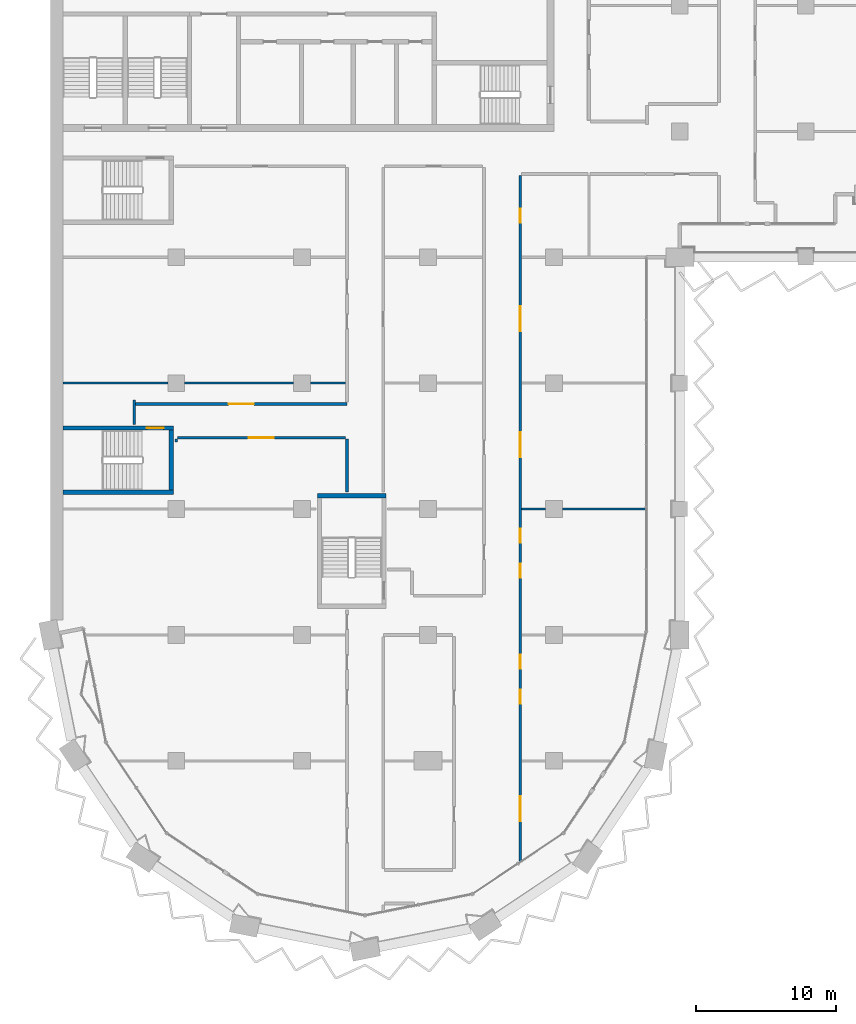
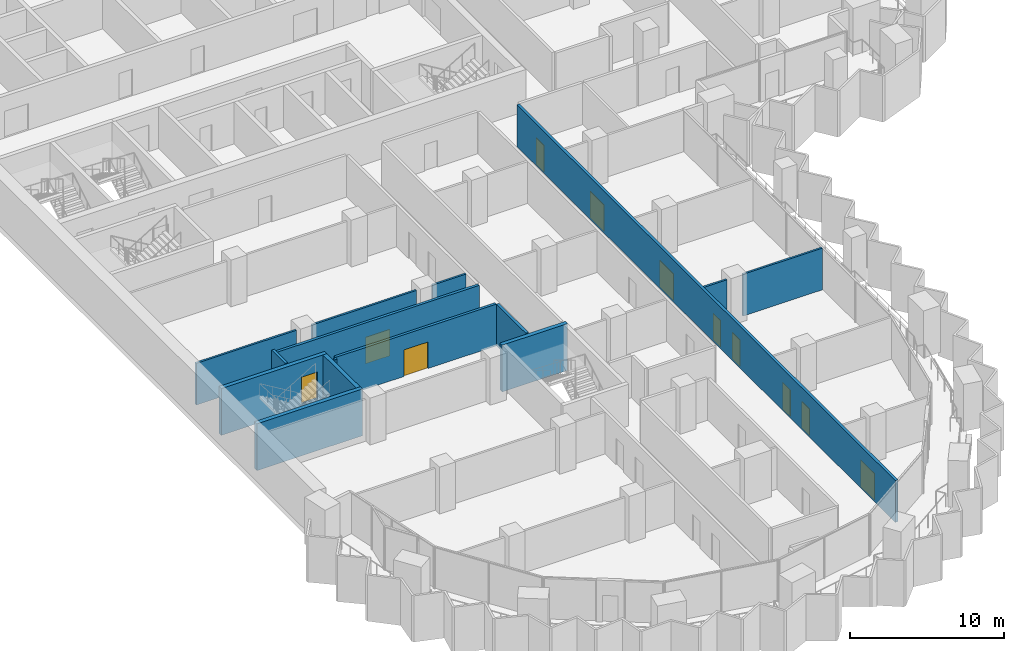
# One storey, part 11 of 23: 15 walls, 11 doors, 11 openings.
"""IFC4 building model written with IfcOpenShell, lengths in metres."""

from ifc_helpers import new_model, si_unit, direction, frame, frame_2d, origin, place, context, subcontext, project, spatial, rectangle, extrude, material, layer, layer_set, type_object, element, fill, save


model = new_model("IFC4")

# Units and contexts
model_context = context("Model", 3, precision=1e-05, world=origin(), true_north=direction((0.0, 1.0)))
body_context = subcontext(model_context, "Body", "Model", "MODEL_VIEW")
ifc_project = project(units=[si_unit("LENGTHUNIT", "METRE"), si_unit("AREAUNIT", "SQUARE_METRE"), si_unit("VOLUMEUNIT", "CUBIC_METRE"), si_unit("PLANEANGLEUNIT", "RADIAN"), si_unit("MASSUNIT", "GRAM", prefix="KILO")], contexts=[model_context])

# Site, building, storey
site_placement = place(None, origin())
site = spatial("IfcSite", under=ifc_project, at=site_placement, CompositionType="ELEMENT")
building_placement = place(site_placement, origin())
building = spatial("IfcBuilding", under=site, at=building_placement, Name="Hunhe Ridgeline Campus", CompositionType="ELEMENT")
storey_placement = place(building_placement, frame((0.0, 0.0, 167.10009765625)))
storey = spatial("IfcBuildingStorey", under=building, at=storey_placement, Name="L42", CompositionType="ELEMENT", Elevation=167.10009765625)

# Wall, opening, door
ifc_material_1 = material(Name="Gypsum board partition")
ifc_layer_1 = layer(ifc_material_1, 0.199951171875)
ifc_layer_set_1 = layer_set([ifc_layer_1], Name="Corridor partition 200 gypsum board on steel studs")
wall_type_1 = type_object("IfcWallType", Name="Corridor partition 200 gypsum board on steel studs", PredefinedType="PARTITIONING", material=ifc_layer_set_1)
wall_1_placement = place(storey_placement, frame((21.10009765625, 41.10009765625, 0.0), z_axis=(0.0, 0.0, 1.0), x_axis=(-1.0, 0.0, 0.0)))
wall_1 = element("IfcWall", 1, at=wall_1_placement, inside=storey, type_object=wall_type_1, Name="F-L42-wall-026", PredefinedType="PARTITIONING", context=body_context, shape_type="SweptSolid", body=[
    extrude(rectangle(XDim=12.025146484375, YDim=0.199951171875, at=frame_2d((6.0126953125, 0.0))), origin(), (0.0, 0.0, 1.0), 3.2998046875),
])
opening_1_placement = place(wall_1_placement, frame((5.112548828125, 0.0, 0.0)))
opening_1 = element("IfcOpeningElement", 2, at=opening_1_placement, cuts=wall_1, Name="Opening RD2-016", PredefinedType="OPENING", context=body_context, shape_type="SweptSolid", body=[
    extrude(rectangle(XDim=1.800048828125, YDim=2.10009765625, at=frame_2d((0.89990234375, 1.050048828125))), frame((0.0, 0.10009765625, 0.0), z_axis=(0.0, -1.0, 0.0), x_axis=(1.0, 0.0, 0.0)), (0.0, 0.0, 1.0), 0.199951171875),
])
ifc_material_2 = material(Name="Timber door leaf", Category="wood")
door_type_1 = type_object("IfcDoorType", Name="Double fire door 1800x2100 timber FD60", OperationType="DOUBLE_DOOR_SINGLE_SWING", PredefinedType="DOOR", material=ifc_material_2)
door_1_placement = place(opening_1_placement, origin())
door_1 = element("IfcDoor", 3, at=door_1_placement, inside=storey, type_object=door_type_1, Name="F-L42-door-016", OperationType="DOUBLE_DOOR_SINGLE_SWING", OverallHeight=2.10009765625, OverallWidth=1.800048828125, PredefinedType="DOOR", context=body_context, shape_type="SweptSolid", body=[
    extrude(rectangle(XDim=1.800048828125, YDim=2.10009765625, at=frame_2d((0.89990234375, 1.050048828125))), frame((0.0, 0.02490234375, 0.0), z_axis=(0.0, -1.0, 0.0), x_axis=(1.0, 0.0, 0.0)), (0.0, 0.0, 1.0), 0.050048828125),
])
fill(opening_1, door_1)

wall_2_placement = place(storey_placement, frame((6.10009765625, 43.5, 0.0), z_axis=(0.0, 0.0, 1.0), x_axis=(1.0, 0.0, 0.0)))
wall_2 = element("IfcWall", 4, at=wall_2_placement, inside=storey, type_object=wall_type_1, Name="F-L42-wall-027", PredefinedType="PARTITIONING", context=body_context, shape_type="SweptSolid", body=[
    extrude(rectangle(XDim=15.099853515625, YDim=0.199951171875, at=frame_2d((7.5498046875, 0.0))), origin(), (0.0, 0.0, 1.0), 3.2998046875),
])
opening_2_placement = place(wall_2_placement, frame((6.64990234375, 0.0, 0.0)))
opening_2 = element("IfcOpeningElement", 5, at=opening_2_placement, cuts=wall_2, Name="Opening RD2-017", PredefinedType="OPENING", context=body_context, shape_type="SweptSolid", body=[
    extrude(rectangle(XDim=1.800048828125, YDim=2.10009765625, at=frame_2d((0.89990234375, 1.050048828125))), frame((0.0, 0.10009765625, 0.0), z_axis=(0.0, -1.0, 0.0), x_axis=(1.0, 0.0, 0.0)), (0.0, 0.0, 1.0), 0.199951171875),
])
door_2_placement = place(opening_2_placement, origin())
door_2 = element("IfcDoor", 6, at=door_2_placement, inside=storey, type_object=door_type_1, Name="F-L42-door-017", OperationType="DOUBLE_DOOR_SINGLE_SWING", OverallHeight=2.10009765625, OverallWidth=1.800048828125, PredefinedType="DOOR", context=body_context, shape_type="SweptSolid", body=[
    extrude(rectangle(XDim=1.800048828125, YDim=2.10009765625, at=frame_2d((0.89990234375, 1.050048828125))), frame((0.0, 0.02490234375, 0.0), z_axis=(0.0, -1.0, 0.0), x_axis=(1.0, 0.0, 0.0)), (0.0, 0.0, 1.0), 0.050048828125),
])
fill(opening_2, door_2)

# Walls
wall_3_placement = place(storey_placement, frame((6.0, 42.053955078125, 0.0), z_axis=(0.0, 0.0, 1.0), x_axis=(0.0, 1.0, 0.0)))
element("IfcWall", 7, at=wall_3_placement, inside=storey, type_object=wall_type_1, Name="F-L42-wall-061", PredefinedType="PARTITIONING", context=body_context, shape_type="SweptSolid", body=[
    extrude(rectangle(XDim=1.74609375, YDim=0.199951171875, at=frame_2d((0.873046875, 0.0))), origin(), (0.0, 0.0, 1.0), 3.2998046875),
])
wall_4_placement = place(storey_placement, frame((21.199951171875, 37.2041015625, 0.0), z_axis=(0.0, 0.0, 1.0), x_axis=(0.0, 1.0, 0.0)))
element("IfcWall", 8, at=wall_4_placement, inside=storey, type_object=wall_type_1, Name="F-L42-wall-064", PredefinedType="PARTITIONING", context=body_context, shape_type="SweptSolid", body=[
    extrude(rectangle(XDim=3.7958984375, YDim=0.199951171875, at=frame_2d((1.89794921875, 0.0))), origin(), (0.0, 0.0, 1.0), 3.2998046875),
])

# Wall, openings, doors
wall_5_placement = place(storey_placement, frame((33.60009765625, 59.85107421875, 0.0), z_axis=(0.0, 0.0, 1.0), x_axis=(0.0, -1.0, 0.0)))
wall_5 = element("IfcWall", 9, at=wall_5_placement, inside=storey, type_object=wall_type_1, Name="F-L42-wall-072", PredefinedType="PARTITIONING", context=body_context, shape_type="SweptSolid", body=[
    extrude(rectangle(XDim=49.022216796875, YDim=0.199951171875, at=frame_2d((24.51123046875, 0.0))), origin(), (0.0, 0.0, 1.0), 3.2998046875),
])
opening_3_placement = place(wall_5_placement, frame((44.37060546875, 0.0, 0.0)))
opening_3 = element("IfcOpeningElement", 10, at=opening_3_placement, cuts=wall_5, Name="Opening RD2-003", PredefinedType="OPENING", context=body_context, shape_type="SweptSolid", body=[
    extrude(rectangle(XDim=1.800048828125, YDim=2.10009765625, at=frame_2d((0.89990234375, 1.050048828125))), frame((0.0, 0.10009765625, 0.0), z_axis=(0.0, -1.0, 0.0), x_axis=(1.0, 0.0, 0.0)), (0.0, 0.0, 1.0), 0.199951171875),
])
opening_4_placement = place(wall_5_placement, frame((36.766845703125, 0.0, 0.0)))
opening_4 = element("IfcOpeningElement", 11, at=opening_4_placement, cuts=wall_5, Name="Opening RD1-007", PredefinedType="OPENING", context=body_context, shape_type="SweptSolid", body=[
    extrude(rectangle(XDim=1.0, YDim=2.10009765625, at=frame_2d((0.5, 1.050048828125))), frame((0.0, 0.10009765625, 0.0), z_axis=(0.0, -1.0, 0.0), x_axis=(1.0, 0.0, 0.0)), (0.0, 0.0, 1.0), 0.199951171875),
])
opening_5_placement = place(wall_5_placement, frame((34.266845703125, 0.0, 0.0)))
opening_5 = element("IfcOpeningElement", 12, at=opening_5_placement, cuts=wall_5, Name="Opening RD1-009", PredefinedType="OPENING", context=body_context, shape_type="SweptSolid", body=[
    extrude(rectangle(XDim=1.0, YDim=2.10009765625, at=frame_2d((0.5, 1.050048828125))), frame((0.0, 0.10009765625, 0.0), z_axis=(0.0, -1.0, 0.0), x_axis=(1.0, 0.0, 0.0)), (0.0, 0.0, 1.0), 0.199951171875),
])
opening_6_placement = place(wall_5_placement, frame((27.7626953125, 0.0, 0.0)))
opening_6 = element("IfcOpeningElement", 13, at=opening_6_placement, cuts=wall_5, Name="Opening RD1-011", PredefinedType="OPENING", context=body_context, shape_type="SweptSolid", body=[
    extrude(rectangle(XDim=1.0, YDim=2.10009765625, at=frame_2d((0.5, 1.050048828125))), frame((0.0, 0.10009765625, 0.0), z_axis=(0.0, -1.0, 0.0), x_axis=(1.0, 0.0, 0.0)), (0.0, 0.0, 1.0), 0.199951171875),
])
opening_7_placement = place(wall_5_placement, frame((25.2626953125, 0.0, 0.0)))
opening_7 = element("IfcOpeningElement", 14, at=opening_7_placement, cuts=wall_5, Name="Opening RD1-013", PredefinedType="OPENING", context=body_context, shape_type="SweptSolid", body=[
    extrude(rectangle(XDim=1.0, YDim=2.10009765625, at=frame_2d((0.5, 1.050048828125))), frame((0.0, 0.10009765625, 0.0), z_axis=(0.0, -1.0, 0.0), x_axis=(1.0, 0.0, 0.0)), (0.0, 0.0, 1.0), 0.199951171875),
])
opening_8_placement = place(wall_5_placement, frame((18.358642578125, 0.0, 0.0)))
opening_8 = element("IfcOpeningElement", 15, at=opening_8_placement, cuts=wall_5, Name="Opening RD2-015", PredefinedType="OPENING", context=body_context, shape_type="SweptSolid", body=[
    extrude(rectangle(XDim=1.800048828125, YDim=2.10009765625, at=frame_2d((0.89990234375, 1.050048828125))), frame((0.0, 0.10009765625, 0.0), z_axis=(0.0, -1.0, 0.0), x_axis=(1.0, 0.0, 0.0)), (0.0, 0.0, 1.0), 0.199951171875),
])
opening_9_placement = place(wall_5_placement, frame((9.3544921875, 0.0, 0.0)))
opening_9 = element("IfcOpeningElement", 16, at=opening_9_placement, cuts=wall_5, Name="Opening RD2-020", PredefinedType="OPENING", context=body_context, shape_type="SweptSolid", body=[
    extrude(rectangle(XDim=1.800048828125, YDim=2.10009765625, at=frame_2d((0.89990234375, 1.050048828125))), frame((0.0, 0.10009765625, 0.0), z_axis=(0.0, -1.0, 0.0), x_axis=(1.0, 0.0, 0.0)), (0.0, 0.0, 1.0), 0.199951171875),
])
opening_10_placement = place(wall_5_placement, frame((2.376220703125, 0.0, 0.0)))
opening_10 = element("IfcOpeningElement", 17, at=opening_10_placement, cuts=wall_5, Name="Opening RD1-022", PredefinedType="OPENING", context=body_context, shape_type="SweptSolid", body=[
    extrude(rectangle(XDim=1.0, YDim=2.10009765625, at=frame_2d((0.5, 1.050048828125))), frame((0.0, 0.10009765625, 0.0), z_axis=(0.0, -1.0, 0.0), x_axis=(1.0, 0.0, 0.0)), (0.0, 0.0, 1.0), 0.199951171875),
])
door_3_placement = place(opening_3_placement, origin())
door_3 = element("IfcDoor", 18, at=door_3_placement, inside=storey, type_object=door_type_1, Name="F-L42-door-003", OperationType="DOUBLE_DOOR_SINGLE_SWING", OverallHeight=2.10009765625, OverallWidth=1.800048828125, PredefinedType="DOOR", context=body_context, shape_type="SweptSolid", body=[
    extrude(rectangle(XDim=1.800048828125, YDim=2.10009765625, at=frame_2d((0.89990234375, 1.050048828125))), frame((0.0, 0.02490234375, 0.0), z_axis=(0.0, -1.0, 0.0), x_axis=(1.0, 0.0, 0.0)), (0.0, 0.0, 1.0), 0.050048828125),
])
fill(opening_3, door_3)
door_4_placement = place(opening_8_placement, origin())
door_4 = element("IfcDoor", 19, at=door_4_placement, inside=storey, type_object=door_type_1, Name="F-L42-door-015", OperationType="DOUBLE_DOOR_SINGLE_SWING", OverallHeight=2.10009765625, OverallWidth=1.800048828125, PredefinedType="DOOR", context=body_context, shape_type="SweptSolid", body=[
    extrude(rectangle(XDim=1.800048828125, YDim=2.10009765625, at=frame_2d((0.89990234375, 1.050048828125))), frame((0.0, 0.02490234375, 0.0), z_axis=(0.0, -1.0, 0.0), x_axis=(1.0, 0.0, 0.0)), (0.0, 0.0, 1.0), 0.050048828125),
])
fill(opening_8, door_4)
door_5_placement = place(opening_9_placement, origin())
door_5 = element("IfcDoor", 20, at=door_5_placement, inside=storey, type_object=door_type_1, Name="F-L42-door-020", OperationType="DOUBLE_DOOR_SINGLE_SWING", OverallHeight=2.10009765625, OverallWidth=1.800048828125, PredefinedType="DOOR", context=body_context, shape_type="SweptSolid", body=[
    extrude(rectangle(XDim=1.800048828125, YDim=2.10009765625, at=frame_2d((0.89990234375, 1.050048828125))), frame((0.0, 0.02490234375, 0.0), z_axis=(0.0, -1.0, 0.0), x_axis=(1.0, 0.0, 0.0)), (0.0, 0.0, 1.0), 0.050048828125),
])
fill(opening_9, door_5)
door_type_2 = type_object("IfcDoorType", Name="Single fire door 1000x2100 timber FD60", OperationType="NOTDEFINED", PredefinedType="DOOR", material=ifc_material_2)
door_6_placement = place(opening_4_placement, frame((1.0, 0.0, 0.0), z_axis=(0.0, 0.0, 1.0), x_axis=(-1.0, 0.0, 0.0)))
door_6 = element("IfcDoor", 21, at=door_6_placement, inside=storey, type_object=door_type_2, Name="F-L42-door-007", OperationType="SINGLE_SWING_RIGHT", OverallHeight=2.10009765625, OverallWidth=1.0, PredefinedType="DOOR", context=body_context, shape_type="SweptSolid", body=[
    extrude(rectangle(XDim=1.0, YDim=2.10009765625, at=frame_2d((0.5, 1.050048828125))), frame((0.0, 0.02490234375, 0.0), z_axis=(0.0, -1.0, 0.0), x_axis=(1.0, 0.0, 0.0)), (0.0, 0.0, 1.0), 0.050048828125),
])
fill(opening_4, door_6)
door_7_placement = place(opening_5_placement, frame((1.0, 0.0, 0.0), z_axis=(0.0, 0.0, 1.0), x_axis=(-1.0, 0.0, 0.0)))
door_7 = element("IfcDoor", 22, at=door_7_placement, inside=storey, type_object=door_type_2, Name="F-L42-door-009", OperationType="SINGLE_SWING_RIGHT", OverallHeight=2.10009765625, OverallWidth=1.0, PredefinedType="DOOR", context=body_context, shape_type="SweptSolid", body=[
    extrude(rectangle(XDim=1.0, YDim=2.10009765625, at=frame_2d((0.5, 1.050048828125))), frame((0.0, 0.02490234375, 0.0), z_axis=(0.0, -1.0, 0.0), x_axis=(1.0, 0.0, 0.0)), (0.0, 0.0, 1.0), 0.050048828125),
])
fill(opening_5, door_7)
door_8_placement = place(opening_6_placement, frame((1.0, 0.0, 0.0), z_axis=(0.0, 0.0, 1.0), x_axis=(-1.0, 0.0, 0.0)))
door_8 = element("IfcDoor", 23, at=door_8_placement, inside=storey, type_object=door_type_2, Name="F-L42-door-011", OperationType="SINGLE_SWING_RIGHT", OverallHeight=2.10009765625, OverallWidth=1.0, PredefinedType="DOOR", context=body_context, shape_type="SweptSolid", body=[
    extrude(rectangle(XDim=1.0, YDim=2.10009765625, at=frame_2d((0.5, 1.050048828125))), frame((0.0, 0.02490234375, 0.0), z_axis=(0.0, -1.0, 0.0), x_axis=(1.0, 0.0, 0.0)), (0.0, 0.0, 1.0), 0.050048828125),
])
fill(opening_6, door_8)
door_9_placement = place(opening_7_placement, frame((1.0, 0.0, 0.0), z_axis=(0.0, 0.0, 1.0), x_axis=(-1.0, 0.0, 0.0)))
door_9 = element("IfcDoor", 24, at=door_9_placement, inside=storey, type_object=door_type_2, Name="F-L42-door-013", OperationType="SINGLE_SWING_RIGHT", OverallHeight=2.10009765625, OverallWidth=1.0, PredefinedType="DOOR", context=body_context, shape_type="SweptSolid", body=[
    extrude(rectangle(XDim=1.0, YDim=2.10009765625, at=frame_2d((0.5, 1.050048828125))), frame((0.0, 0.02490234375, 0.0), z_axis=(0.0, -1.0, 0.0), x_axis=(1.0, 0.0, 0.0)), (0.0, 0.0, 1.0), 0.050048828125),
])
fill(opening_7, door_9)
door_10_placement = place(opening_10_placement, origin())
door_10 = element("IfcDoor", 25, at=door_10_placement, inside=storey, type_object=door_type_2, Name="F-L42-door-022", OperationType="SINGLE_SWING_LEFT", OverallHeight=2.10009765625, OverallWidth=1.0, PredefinedType="DOOR", context=body_context, shape_type="SweptSolid", body=[
    extrude(rectangle(XDim=1.0, YDim=2.10009765625, at=frame_2d((0.5, 1.050048828125))), frame((0.0, 0.02490234375, 0.0), z_axis=(0.0, -1.0, 0.0), x_axis=(1.0, 0.0, 0.0)), (0.0, 0.0, 1.0), 0.050048828125),
])
fill(opening_10, door_10)

# Walls
ifc_layer_2 = layer(ifc_material_1, 0.14990234375)
ifc_layer_set_2 = layer_set([ifc_layer_2], Name="Room partition 150 gypsum board on steel studs")
wall_type_2 = type_object("IfcWallType", Name="Room partition 150 gypsum board on steel studs", PredefinedType="PARTITIONING", material=ifc_layer_set_2)
wall_6_placement = place(storey_placement, frame((33.699951171875, 36.0, 0.0), z_axis=(0.0, 0.0, 1.0), x_axis=(1.0, 0.0, 0.0)))
element("IfcWall", 26, at=wall_6_placement, inside=storey, type_object=wall_type_2, Name="F-L42-wall-024", PredefinedType="PARTITIONING", context=body_context, shape_type="SweptSolid", body=[
    extrude(rectangle(XDim=1.699951171875, YDim=0.14990234375, at=frame_2d((0.85009765625, 0.0))), origin(), (0.0, 0.0, 1.0), 3.2998046875),
])
wall_7_placement = place(storey_placement, frame((36.60009765625, 36.0, 0.0), z_axis=(0.0, 0.0, 1.0), x_axis=(1.0, 0.0, 0.0)))
element("IfcWall", 27, at=wall_7_placement, inside=storey, type_object=wall_type_2, Name="F-L42-wall-025", PredefinedType="PARTITIONING", context=body_context, shape_type="SweptSolid", body=[
    extrude(rectangle(XDim=5.94482421875, YDim=0.14990234375, at=frame_2d((2.972412109375, 0.0))), origin(), (0.0, 0.0, 1.0), 3.2998046875),
])
wall_8_placement = place(storey_placement, frame((0.919921875, 45.0, 0.0), z_axis=(0.0, 0.0, 1.0), x_axis=(1.0, 0.0, 0.0)))
element("IfcWall", 28, at=wall_8_placement, inside=storey, type_object=wall_type_2, Name="F-L42-wall-028", PredefinedType="PARTITIONING", context=body_context, shape_type="SweptSolid", body=[
    extrude(rectangle(XDim=7.47998046875, YDim=0.14990234375, at=frame_2d((3.739990234375, 0.0))), origin(), (0.0, 0.0, 1.0), 3.2998046875),
])
wall_9_placement = place(storey_placement, frame((9.60009765625, 45.0, 0.0), z_axis=(0.0, 0.0, 1.0), x_axis=(1.0, 0.0, 0.0)))
element("IfcWall", 29, at=wall_9_placement, inside=storey, type_object=wall_type_2, Name="F-L42-wall-029", PredefinedType="PARTITIONING", context=body_context, shape_type="SweptSolid", body=[
    extrude(rectangle(XDim=7.7998046875, YDim=0.14990234375, at=frame_2d((3.89990234375, 0.0))), origin(), (0.0, 0.0, 1.0), 3.2998046875),
])
wall_10_placement = place(storey_placement, frame((18.60009765625, 45.0, 0.0), z_axis=(0.0, 0.0, 1.0), x_axis=(1.0, 0.0, 0.0)))
element("IfcWall", 30, at=wall_10_placement, inside=storey, type_object=wall_type_2, Name="F-L42-wall-030", PredefinedType="PARTITIONING", context=body_context, shape_type="SweptSolid", body=[
    extrude(rectangle(XDim=2.5, YDim=0.14990234375, at=frame_2d((1.25, 0.0))), origin(), (0.0, 0.0, 1.0), 3.2998046875),
])
wall_11_placement = place(storey_placement, frame((9.0, 41.0, 0.0), z_axis=(0.0, 0.0, 1.0), x_axis=(0.0, -1.0, 0.0)))
element("IfcWall", 31, at=wall_11_placement, inside=storey, type_object=wall_type_2, Name="F-L42-wall-062", PredefinedType="PARTITIONING", context=body_context, shape_type="SweptSolid", body=[
    extrude(rectangle(XDim=0.199951171875, YDim=0.14990234375, at=frame_2d((0.10009765625, 0.0))), origin(), (0.0, 0.0, 1.0), 3.2998046875),
])
ifc_material_3 = material(Name="Concrete C70", Category="concrete")
ifc_layer_3 = layer(ifc_material_3, 0.300048828125)
ifc_layer_set_3 = layer_set([ifc_layer_3], Name="Stair wall 300 reinforced concrete C70")
wall_type_3 = type_object("IfcWallType", Name="Stair wall 300 reinforced concrete C70", PredefinedType="SOLIDWALL", material=ifc_layer_set_3)
wall_12_placement = place(storey_placement, frame((19.10009765625, 36.949951171875, -0.400146484375), z_axis=(0.0, 0.0, 1.0), x_axis=(1.0, 0.0, 0.0)))
element("IfcWall", 32, at=wall_12_placement, inside=storey, type_object=wall_type_3, Name="L42 core wall 2", PredefinedType="SOLIDWALL", context=body_context, shape_type="SweptSolid", body=[
    extrude(rectangle(XDim=4.89990234375, YDim=0.300048828125, at=frame_2d((2.449951171875, 0.0))), origin(), (0.0, 0.0, 1.0), 3.699951171875),
])
wall_13_placement = place(storey_placement, frame((0.89990234375, 37.199951171875, -0.400146484375), z_axis=(0.0, 0.0, 1.0), x_axis=(1.0, 0.0, 0.0)))
element("IfcWall", 33, at=wall_13_placement, inside=storey, type_object=wall_type_3, Name="L42 core wall 3", PredefinedType="SOLIDWALL", context=body_context, shape_type="SweptSolid", body=[
    extrude(rectangle(XDim=7.900146484375, YDim=0.300048828125, at=frame_2d((3.9501953125, 0.0))), origin(), (0.0, 0.0, 1.0), 3.699951171875),
])

# Wall, opening, door
wall_14_placement = place(storey_placement, frame((0.89990234375, 41.800048828125, -0.400146484375), z_axis=(0.0, 0.0, 1.0), x_axis=(1.0, 0.0, 0.0)))
wall_14 = element("IfcWall", 34, at=wall_14_placement, inside=storey, type_object=wall_type_3, Name="L42 core wall 4", PredefinedType="SOLIDWALL", context=body_context, shape_type="SweptSolid", body=[
    extrude(rectangle(XDim=7.900146484375, YDim=0.300048828125, at=frame_2d((3.9501953125, 0.0))), origin(), (0.0, 0.0, 1.0), 3.699951171875),
])
opening_11_placement = place(wall_14_placement, frame((6.0, 0.0, 0.39990234375)))
opening_11 = element("IfcOpeningElement", 35, at=opening_11_placement, cuts=wall_14, Name="Opening CD21", PredefinedType="OPENING", context=body_context, shape_type="SweptSolid", body=[
    extrude(rectangle(XDim=1.199951171875, YDim=2.10009765625, at=frame_2d((0.60009765625, 1.050048828125))), frame((0.0, 0.14990234375, 0.0), z_axis=(0.0, -1.0, 0.0), x_axis=(1.0, 0.0, 0.0)), (0.0, 0.0, 1.0), 0.300048828125),
])
ifc_material_4 = material(Name="Hollow metal fire door leaf")
door_type_3 = type_object("IfcDoorType", Name="Stair door 1200x2100 FD60", OperationType="SINGLE_SWING_LEFT", PredefinedType="DOOR", material=ifc_material_4)
door_11_placement = place(opening_11_placement, origin())
door_11 = element("IfcDoor", 36, at=door_11_placement, inside=storey, type_object=door_type_3, Name="L42 door W1", OperationType="SINGLE_SWING_LEFT", OverallHeight=2.10009765625, OverallWidth=1.199951171875, PredefinedType="DOOR", context=body_context, shape_type="SweptSolid", body=[
    extrude(rectangle(XDim=1.199951171875, YDim=2.10009765625, at=frame_2d((0.60009765625, 1.050048828125))), frame((0.0, 0.02490234375, 0.0), z_axis=(0.0, -1.0, 0.0), x_axis=(1.0, 0.0, 0.0)), (0.0, 0.0, 1.0), 0.050048828125),
])
fill(opening_11, door_11)

# Wall
wall_15_placement = place(storey_placement, frame((8.64990234375, 37.35009765625, -0.400146484375), z_axis=(0.0, 0.0, 1.0), x_axis=(0.0, 1.0, 0.0)))
element("IfcWall", 37, at=wall_15_placement, inside=storey, type_object=wall_type_3, Name="L42 core wall 37", PredefinedType="SOLIDWALL", context=body_context, shape_type="SweptSolid", body=[
    extrude(rectangle(XDim=4.2998046875, YDim=0.300048828125, at=frame_2d((2.14990234375, 0.0))), origin(), (0.0, 0.0, 1.0), 3.699951171875),
])

save(model, "model.ifc")
